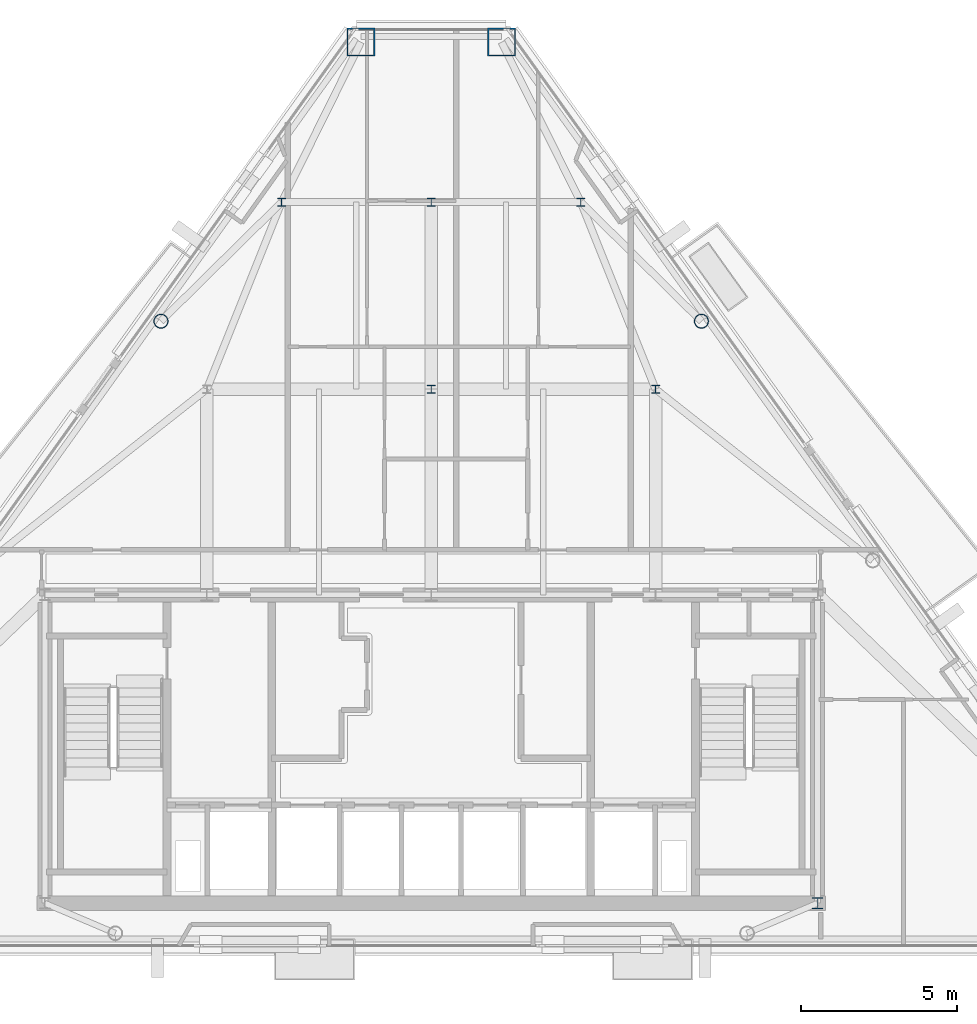
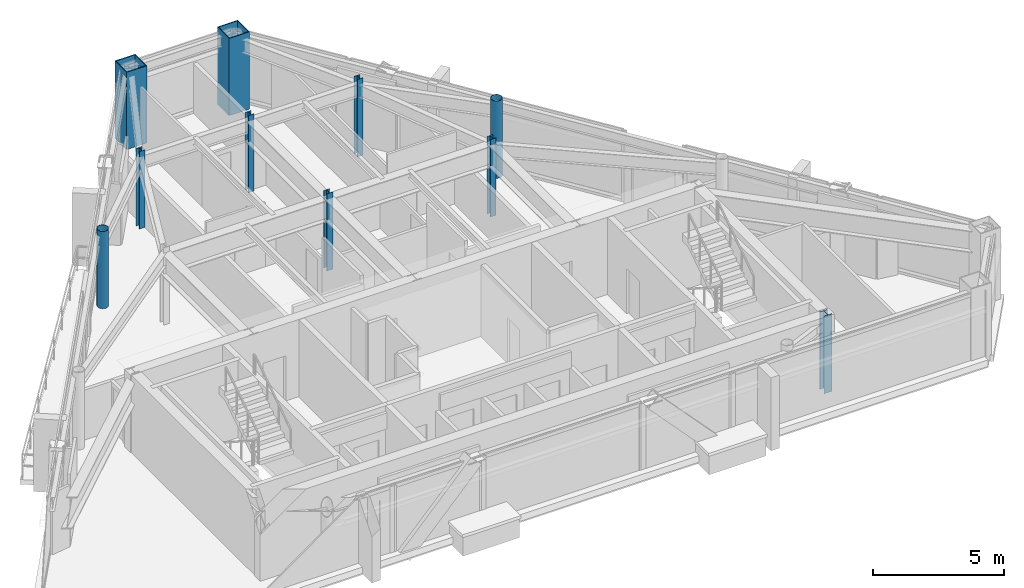
# One storey, part 2 of 12: 10 columns.
"""IFC4 building model written with IfcOpenShell, lengths in metres."""

import ifcopenshell
import ifcopenshell.guid

model = None  # the IFC model being written
_history = None  # IfcOwnerHistory: only IFC2X3 demands one
_inside = {}  # id of a spatial element -> (the spatial element, [elements in it])
_under = {}  # id of a project, library or spatial element -> (it, [spatial elements below it])
_declared = {}  # id of a project -> (the project, [libraries it declares])
_typed = {}  # id of a type object -> (the type object, [elements of that type])
_made_of = {}  # id of a material, layer set ... -> (it, [elements and type objects made of it])


def new_model(schema):
    """Start an empty IFC model of exactly this schema.

    Asked for "IFC4X3", IfcOpenShell would pick the latest addendum, in which some entities
    have other attributes; the version numbers below select the first issue.
    IFC2X3 requires an IfcOwnerHistory on every rooted entity: one is made here for all.
    """
    global model, _history
    if schema == "IFC4X3":
        model = ifcopenshell.file(schema_version=(4, 3, 0, 0))
    else:
        model = ifcopenshell.file(schema=schema)
    _inside.clear()
    _under.clear()
    _declared.clear()
    _typed.clear()
    _made_of.clear()
    _history = None
    if model.schema == "IFC2X3":
        org = make("IfcOrganization", Name="unknown")
        user = make(
            "IfcPersonAndOrganization",
            ThePerson=make("IfcPerson", FamilyName="unknown"),
            TheOrganization=org,
        )
        app = make(
            "IfcApplication",
            ApplicationDeveloper=org,
            Version="unknown",
            ApplicationFullName="unknown",
            ApplicationIdentifier="unknown",
        )
        _history = make(
            "IfcOwnerHistory",
            OwningUser=user,
            OwningApplication=app,
            ChangeAction="ADDED",
            CreationDate=0,
        )
    return model


def make(cls, **values):
    """One entity of the class cls with the attributes given. An attribute that is None is left unset."""
    return model.create_entity(
        cls, **{name: value for name, value in values.items() if value is not None}
    )


def rooted(cls, **values):
    """An entity with a GlobalId (a new one), such as an element, a storey or a relation."""
    return make(cls, GlobalId=ifcopenshell.guid.new(), OwnerHistory=_history, **values)


def si_unit(unit_type, name, prefix=None):
    """IfcSIUnit, for example si_unit("LENGTHUNIT", "METRE", prefix="MILLI")."""
    return make("IfcSIUnit", UnitType=unit_type, Prefix=prefix, Name=name)


def assignment(units):
    """IfcUnitAssignment: the units of a project."""
    return None if units is None else make("IfcUnitAssignment", Units=units)


def point(xyz):
    """IfcCartesianPoint."""
    return None if xyz is None else make("IfcCartesianPoint", Coordinates=xyz)


def direction(xyz):
    """IfcDirection."""
    return None if xyz is None else make("IfcDirection", DirectionRatios=xyz)


def frame(location, z_axis=None, x_axis=None):
    """IfcAxis2Placement3D, a coordinate frame: its origin and axes. An axis left out is left unset."""
    return make(
        "IfcAxis2Placement3D",
        Location=point(location),
        Axis=direction(z_axis),
        RefDirection=direction(x_axis),
    )


def frame_2d(location, x_axis=None):
    """IfcAxis2Placement2D, a coordinate frame in the plane: its origin and x axis."""
    return make(
        "IfcAxis2Placement2D", Location=point(location), RefDirection=direction(x_axis)
    )


def origin():
    """The frame at (0, 0, 0) with its axes left unset."""
    return frame((0.0, 0.0, 0.0))


def origin_2d():
    """The frame at (0, 0) in the plane with its x axis left unset."""
    return frame_2d((0.0, 0.0))


def place(relative_to, where):
    """IfcLocalPlacement: puts the frame where relative to a parent placement (None: the world)."""
    return make(
        "IfcLocalPlacement", PlacementRelTo=relative_to, RelativePlacement=where
    )


def context(
    kind, dimensions, precision=None, world=None, true_north=None, identifier=None
):
    """IfcGeometricRepresentationContext, for example the 3D "Model" context."""
    return make(
        "IfcGeometricRepresentationContext",
        ContextIdentifier=identifier,
        ContextType=kind,
        CoordinateSpaceDimension=dimensions,
        Precision=precision,
        WorldCoordinateSystem=world,
        TrueNorth=true_north,
    )


def subcontext(parent, identifier, kind, view, scale=None):
    """IfcGeometricRepresentationSubContext, for example "Body" below "Model"."""
    return make(
        "IfcGeometricRepresentationSubContext",
        ContextIdentifier=identifier,
        ContextType=kind,
        ParentContext=parent,
        TargetScale=scale,
        TargetView=view,
    )


def project(units=None, contexts=None):
    """IfcProject with its units and contexts."""
    return rooted(
        "IfcProject",
        Name="project",
        RepresentationContexts=contexts,
        UnitsInContext=assignment(units),
    )


def spatial(cls, under=None, at=None, **own):
    """A site, building, storey or space (cls), placed at a placement, below another one or the project."""
    s = rooted(cls, ObjectPlacement=at, **own)
    if under is not None:
        _under.setdefault(under.id(), (under, []))[1].append(s)
    return s


def profile(cls, at=None, kind="AREA", **sizes):
    """A parametric profile (cls). Its sizes go by their IFC names, for example OverallWidth=200.0."""
    return make(cls, ProfileType=kind, Position=at, **sizes)


def hollow_rectangle(**sizes):
    """IfcRectangleHollowProfileDef."""
    return profile("IfcRectangleHollowProfileDef", **sizes)


def hollow_circle(**sizes):
    """IfcCircleHollowProfileDef."""
    return profile("IfcCircleHollowProfileDef", **sizes)


def i_section(**sizes):
    """IfcIShapeProfileDef."""
    return profile("IfcIShapeProfileDef", **sizes)


def extrude(swept, where, along, depth):
    """IfcExtrudedAreaSolid: the profile swept, set in the frame where, extruded along a direction by depth."""
    return make(
        "IfcExtrudedAreaSolid",
        SweptArea=swept,
        Position=where,
        ExtrudedDirection=direction(along),
        Depth=depth,
    )


def shape(context_of_items, identifier, shape_type, items):
    """IfcShapeRepresentation: the items that make up one representation, for example the "Body"."""
    return make(
        "IfcShapeRepresentation",
        ContextOfItems=context_of_items,
        RepresentationIdentifier=identifier,
        RepresentationType=shape_type,
        Items=items,
    )


def material(Name=None, Category=None):
    """IfcMaterial."""
    return make("IfcMaterial", Name=Name, Category=Category)


def material_profile(
    of_material, cross_section, Name=None, Category=None, Priority=None
):
    """IfcMaterialProfile: a cross section and its material."""
    return make(
        "IfcMaterialProfile",
        Name=Name,
        Material=of_material,
        Profile=cross_section,
        Priority=Priority,
        Category=Category,
    )


def profile_set(profiles, Name=None, composite=None):
    """IfcMaterialProfileSet."""
    return make(
        "IfcMaterialProfileSet",
        Name=Name,
        MaterialProfiles=profiles,
        CompositeProfile=composite,
    )


def made_of(thing, what):
    """Note that an element or type object is made of a material, layer set ...; save() writes the relation."""
    if what is not None:
        _made_of.setdefault(what.id(), (what, []))[1].append(thing)
    return thing


def type_object(cls, material=None, **own):
    """A type object (cls), such as IfcWallType, which elements share."""
    return made_of(rooted(cls, **own), material)


def element(
    cls,
    number,
    at=None,
    inside=None,
    cuts=None,
    type_object=None,
    material=None,
    context=None,
    identifier="Body",
    shape_type=None,
    held_by="IfcProductDefinitionShape",
    body=None,
    shapes=None,
    **own,
):
    """One element of the class cls, such as IfcWall. Its Tag is "e" and its number.

    at: its placement. inside: the storey or other place that contains it. cuts: it is an
    opening in that element (IfcRelVoidsElement). A single representation is given by context,
    identifier, shape_type and body (its items); several are given by shapes. held_by: the class
    of the entity that holds the representations. save() writes the other relations.
    """
    e = rooted(cls, Tag="e%d" % number, ObjectPlacement=at, **own)
    if body is not None:
        shapes = [shape(context, identifier, shape_type, body)]
    if shapes is not None:
        e.Representation = make(held_by, Representations=shapes)
    if inside is not None:
        _inside.setdefault(inside.id(), (inside, []))[1].append(e)
    if cuts is not None:
        rooted(
            "IfcRelVoidsElement", RelatingBuildingElement=cuts, RelatedOpeningElement=e
        )
    if type_object is not None:
        _typed.setdefault(type_object.id(), (type_object, []))[1].append(e)
    return made_of(e, material)


def aggregate(whole, parts):
    """IfcRelAggregates: a whole, such as a stair, and the parts it consists of."""
    return rooted("IfcRelAggregates", RelatingObject=whole, RelatedObjects=parts)


def save(model, path):
    """Write the relations noted so far, then the file.

    IfcRelAggregates (storeys below a building ...), IfcRelContainedInSpatialStructure (elements
    in a storey), IfcRelDefinesByType, IfcRelAssociatesMaterial and IfcRelDeclares: one each for
    every whole, place, type object, material and project.
    """
    for whole, parts in _under.values():
        aggregate(whole, parts)
    for where, things in _inside.values():
        rooted(
            "IfcRelContainedInSpatialStructure",
            RelatedElements=things,
            RelatingStructure=where,
        )
    for kind, things in _typed.values():
        rooted("IfcRelDefinesByType", RelatedObjects=things, RelatingType=kind)
    for what, things in _made_of.values():
        rooted("IfcRelAssociatesMaterial", RelatedObjects=things, RelatingMaterial=what)
    for by, libraries in _declared.values():
        rooted("IfcRelDeclares", RelatingContext=by, RelatedDefinitions=libraries)
    model.write(path)


model = new_model("IFC4")

# Units and contexts
model_context = context("Model", 3, precision=1e-05, world=origin(), true_north=direction((0.0, 1.0)))
body_context = subcontext(model_context, "Body", "Model", "MODEL_VIEW")
ifc_project = project(units=[si_unit("LENGTHUNIT", "METRE"), si_unit("AREAUNIT", "SQUARE_METRE"), si_unit("VOLUMEUNIT", "CUBIC_METRE"), si_unit("PLANEANGLEUNIT", "RADIAN"), si_unit("MASSUNIT", "GRAM", prefix="KILO")], contexts=[model_context])

# Site, building, storey
site_placement = place(None, origin())
site = spatial("IfcSite", under=ifc_project, at=site_placement, CompositionType="ELEMENT")
building_placement = place(site_placement, origin())
building = spatial("IfcBuilding", under=site, at=building_placement, Name="Talgorran Terracotta Tower", CompositionType="ELEMENT")
storey_placement = place(building_placement, frame((0.0, 0.0, 256.199951171875)))
storey = spatial("IfcBuildingStorey", under=building, at=storey_placement, Name="L67", CompositionType="ELEMENT", Elevation=256.199951171875)

# Columns
ifc_material_1 = material(Name="Steel S355 (300PLUS)", Category="steel")
ifc_material_profile_1 = material_profile(ifc_material_1, i_section(OverallWidth=0.256103515625, OverallDepth=0.260009765625, WebThickness=0.010498046875, FlangeThickness=0.017333984375, at=origin_2d()), Name="250UC89.5")
ifc_profile_set_1 = profile_set([ifc_material_profile_1], Name="Steel S355 (300PLUS)")
column_type_1 = type_object("IfcColumnType", Name="COL_250UC89", PredefinedType="COLUMN", material=ifc_profile_set_1)
for number, where, z_axis, x_axis, name in (
    (1, (0.0, 2.39990234375, 0.0), (0.0, 0.0, 1.0), (1.0, 0.0, 0.0), "L67 Interior Gravity Column IC2"),
    (2, (7.199951171875, 2.39990234375, 0.0), (0.0, 0.0, 1.0), (1.0, 0.0, 0.0), "L67 Interior Gravity Column IC3"),
    (3, (-4.800048828125, 8.39990234375, 0.0), (0.0, 0.0, 1.0), (1.0, 0.0, 0.0), "L67 Interior Gravity Column IC4"),
    (4, (0.0, 8.39990234375, 0.0), (0.0, 0.0, 1.0), (1.0, 0.0, 0.0), "L67 Interior Gravity Column IC5"),
    (5, (4.800048828125, 8.39990234375, 0.0), (0.0, 0.0, 1.0), (1.0, 0.0, 0.0), "L67 Interior Gravity Column IC6"),
):
    element("IfcColumn", number, at=place(storey_placement, frame(where, z_axis=z_axis, x_axis=x_axis)), inside=storey, type_object=column_type_1, Name=name, PredefinedType="COLUMN", context=body_context, shape_type="SweptSolid", body=[
        extrude(i_section(OverallWidth=0.256103515625, OverallDepth=0.260009765625, WebThickness=0.010498046875, FlangeThickness=0.017333984375, at=origin_2d()), origin(), (0.0, 0.0, 1.0), 3.60009765625),
    ])
ifc_material_profile_2 = material_profile(ifc_material_1, i_section(OverallWidth=0.35205078125, OverallDepth=0.35888671875, WebThickness=0.01806640625, FlangeThickness=0.02587890625, at=origin_2d()), Name="350WC197")
ifc_profile_set_2 = profile_set([ifc_material_profile_2], Name="Steel S355 (300PLUS)")
column_type_2 = type_object("IfcColumnType", Name="COL_350WC197", PredefinedType="COLUMN", material=ifc_profile_set_2)
column_placement = place(storey_placement, frame((12.39990234375, -14.10009765625, 0.0), z_axis=(0.0, 0.0, 1.0), x_axis=(1.0, 0.0, 0.0)))
element("IfcColumn", 6, at=column_placement, inside=storey, type_object=column_type_2, Name="L67 Core Boundary Column CC2", PredefinedType="COLUMN", context=body_context, shape_type="SweptSolid", body=[
    extrude(i_section(OverallWidth=0.35205078125, OverallDepth=0.35888671875, WebThickness=0.01806640625, FlangeThickness=0.02587890625, at=origin_2d()), origin(), (0.0, 0.0, 1.0), 3.60009765625),
])
ifc_material_2 = material(Name="Steel Grade 350 (350L0)", Category="steel")
ifc_material_profile_3 = material_profile(ifc_material_2, hollow_rectangle(XDim=0.89990234375, YDim=0.89990234375, WallThickness=0.0400390625, at=origin_2d()), Name="CFT900X900X40")
ifc_profile_set_3 = profile_set([ifc_material_profile_3], Name="Steel Grade 350 (350L0)")
column_type_3 = type_object("IfcColumnType", Name="COL_CFT_900", PredefinedType="COLUMN", material=ifc_profile_set_3)
for number, where, z_axis, x_axis, name in (
    (7, (2.258056640625, 13.53662109375, 0.0), (0.0, 0.0, 1.0), (1.0, 0.0, 0.0), "L67 Corner CFT Mega-Column MC5"),
    (8, (-2.258056640625, 13.53662109375, 0.0), (0.0, 0.0, 1.0), (1.0, 0.0, 0.0), "L67 Corner CFT Mega-Column MC6"),
):
    element("IfcColumn", number, at=place(storey_placement, frame(where, z_axis=z_axis, x_axis=x_axis)), inside=storey, type_object=column_type_3, Name=name, PredefinedType="COLUMN", context=body_context, shape_type="SweptSolid", body=[
        extrude(hollow_rectangle(XDim=0.89990234375, YDim=0.89990234375, WallThickness=0.0400390625, at=origin_2d()), origin(), (0.0, 0.0, 1.0), 3.60009765625),
    ])
ifc_material_3 = material(Name="Steel S350 (C350L0)", Category="steel")
ifc_material_profile_4 = material_profile(ifc_material_3, hollow_circle(Radius=0.228515625, WallThickness=0.01611328125, at=origin_2d()), Name="CHS457X16")
ifc_profile_set_4 = profile_set([ifc_material_profile_4], Name="Steel S350 (C350L0)")
column_type_4 = type_object("IfcColumnType", Name="COL_CHS_457", PredefinedType="COLUMN", material=ifc_profile_set_4)
for number, where, z_axis, x_axis, name in (
    (9, (8.672607421875, 4.5791015625, 0.0), (0.0, 0.0, 1.0), (1.0, 0.0, 0.0), "L67 Facet Perimeter Column FC4"),
    (10, (-8.672607421875, 4.5791015625, 0.0), (0.0, 0.0, 1.0), (1.0, 0.0, 0.0), "L67 Facet Perimeter Column FC5"),
):
    element("IfcColumn", number, at=place(storey_placement, frame(where, z_axis=z_axis, x_axis=x_axis)), inside=storey, type_object=column_type_4, Name=name, PredefinedType="COLUMN", context=body_context, shape_type="SweptSolid", body=[
        extrude(hollow_circle(Radius=0.228515625, WallThickness=0.01611328125, at=origin_2d()), origin(), (0.0, 0.0, 1.0), 3.60009765625),
    ])

save(model, "model.ifc")
